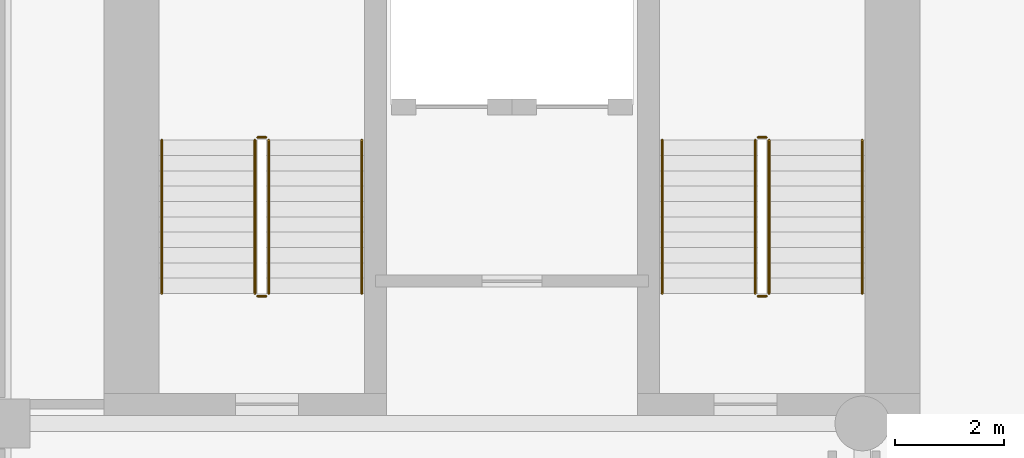
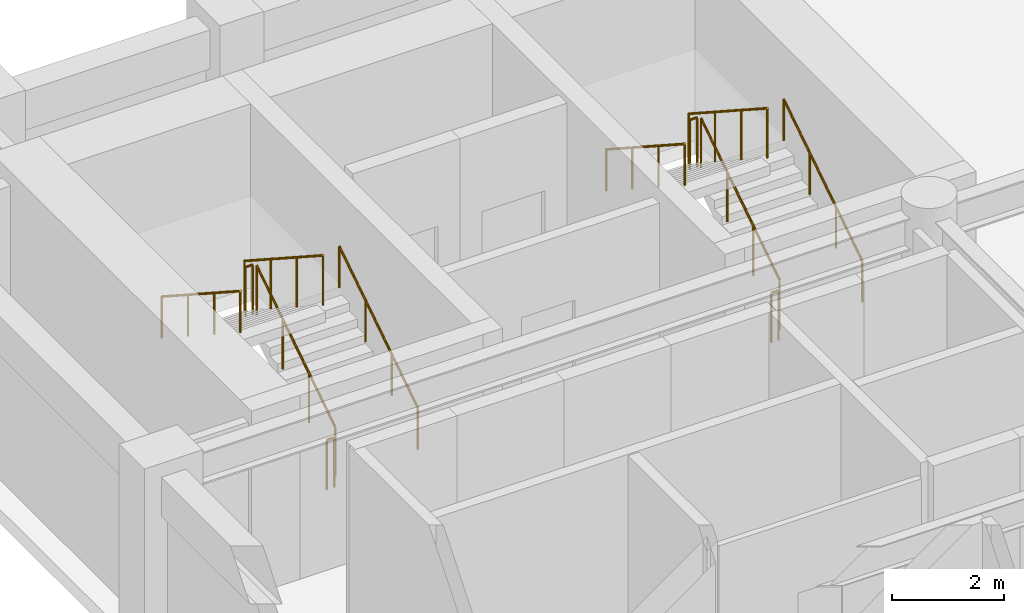
# One storey, part 9 of 10: 12 railings.
"""IFC4 building model written with IfcOpenShell, lengths in metres."""

from ifc_helpers import new_model, si_unit, direction, frame, origin, origin_2d, place, context, subcontext, project, spatial, circle, extrude, material, type_object, element, save


model = new_model("IFC4")

# Units and contexts
model_context = context("Model", 3, precision=1e-05, world=origin(), true_north=direction((0.0, 1.0)))
body_context = subcontext(model_context, "Body", "Model", "MODEL_VIEW")
ifc_project = project(units=[si_unit("LENGTHUNIT", "METRE"), si_unit("AREAUNIT", "SQUARE_METRE"), si_unit("VOLUMEUNIT", "CUBIC_METRE"), si_unit("PLANEANGLEUNIT", "RADIAN"), si_unit("MASSUNIT", "GRAM", prefix="KILO")], contexts=[model_context])

# Site, building, storey
site_placement = place(None, origin())
site = spatial("IfcSite", under=ifc_project, at=site_placement, CompositionType="ELEMENT")
building_placement = place(site_placement, origin())
building = spatial("IfcBuilding", under=site, at=building_placement, Name="Sulina Concourse Tower", CompositionType="ELEMENT")
storey_placement = place(building_placement, frame((0.0, 0.0, 62.60009765625)))
storey = spatial("IfcBuildingStorey", under=building, at=storey_placement, Name="L15", CompositionType="ELEMENT", Elevation=62.60009765625)

# Railings
ifc_material_1 = material(Name="Galvanised steel railing", Category="steel")
railing_type_1 = type_object("IfcRailingType", Name="Core Stair Steel Guardrail 1150mm", PredefinedType="GUARDRAIL", material=ifc_material_1)
railing_1_placement = place(storey_placement, frame((5.554931640625, 36.375, 0.181640625)))
element("IfcRailing", 1, at=railing_1_placement, inside=storey, type_object=railing_type_1, Name="L15 ST-1 stair guard 1", PredefinedType="GUARDRAIL", context=body_context, shape_type="SweptSolid", body=[
    extrude(circle(Radius=0.02392578125, at=origin_2d()), frame((0.0, 0.0, 1.076171875), z_axis=(0.0, 0.838672427954, 0.544636170843), x_axis=(-1.0, 0.0, 0.0)), (0.0, 0.0, 1.0), 3.338623046875),
    extrude(circle(Radius=0.02099609375, at=origin_2d()), origin(), (0.0, 0.0, 1.0), 1.052001953125),
    extrude(circle(Radius=0.02099609375, at=origin_2d()), frame((0.0, 0.933349609375, 0.606201171875)), (0.0, 0.0, 1.0), 1.052001953125),
    extrude(circle(Radius=0.02099609375, at=origin_2d()), frame((0.0, 1.86669921875, 1.212158203125)), (0.0, 0.0, 1.0), 1.052001953125),
    extrude(circle(Radius=0.02099609375, at=origin_2d()), frame((0.0, 2.800048828125, 1.818359375)), (0.0, 0.0, 1.0), 1.052001953125),
])
railing_2_placement = place(storey_placement, frame((5.5048828125, 39.22509765625, 2.0)))
element("IfcRailing", 2, at=railing_2_placement, inside=storey, type_object=railing_type_1, Name="L15 ST-1 stair guard 2", PredefinedType="GUARDRAIL", context=body_context, shape_type="SweptSolid", body=[
    extrude(circle(Radius=0.02392578125, at=origin_2d()), frame((0.0, 0.0, 1.076171875), z_axis=(-1.0, 0.0, 0.0), x_axis=(0.0, -1.0, 0.0)), (0.0, 0.0, 1.0), 0.14990234375),
    extrude(circle(Radius=0.02099609375, at=origin_2d()), origin(), (0.0, 0.0, 1.0), 1.052001953125),
    extrude(circle(Radius=0.02099609375, at=origin_2d()), frame((-0.14990234375, 0.0, 0.0)), (0.0, 0.0, 1.0), 1.052001953125),
])
railing_3_placement = place(storey_placement, frame((5.304931640625, 39.175048828125, 2.181640625)))
element("IfcRailing", 3, at=railing_3_placement, inside=storey, type_object=railing_type_1, Name="L15 ST-1 stair guard 3", PredefinedType="GUARDRAIL", context=body_context, shape_type="SweptSolid", body=[
    extrude(circle(Radius=0.02392578125, at=origin_2d()), frame((0.0, 0.0, 1.076171875), z_axis=(0.0, -0.838672427954, 0.544636170843), x_axis=(1.0, 0.0, 0.0)), (0.0, 0.0, 1.0), 3.338623046875),
    extrude(circle(Radius=0.02099609375, at=origin_2d()), origin(), (0.0, 0.0, 1.0), 1.052001953125),
    extrude(circle(Radius=0.02099609375, at=origin_2d()), frame((0.0, -0.933349609375, 0.606201171875)), (0.0, 0.0, 1.0), 1.052001953125),
    extrude(circle(Radius=0.02099609375, at=origin_2d()), frame((0.0, -1.86669921875, 1.212158203125)), (0.0, 0.0, 1.0), 1.052001953125),
    extrude(circle(Radius=0.02099609375, at=origin_2d()), frame((0.0, -2.800048828125, 1.818359375)), (0.0, 0.0, 1.0), 1.052001953125),
])
railing_4_placement = place(storey_placement, frame((5.5048828125, 36.324951171875, 0.0)))
element("IfcRailing", 4, at=railing_4_placement, inside=storey, type_object=railing_type_1, Name="L15 ST-1 stair guard 4", PredefinedType="GUARDRAIL", context=body_context, shape_type="SweptSolid", body=[
    extrude(circle(Radius=0.02392578125, at=origin_2d()), frame((0.0, 0.0, 1.076171875), z_axis=(-1.0, 0.0, 0.0), x_axis=(0.0, -1.0, 0.0)), (0.0, 0.0, 1.0), 0.14990234375),
    extrude(circle(Radius=0.02099609375, at=origin_2d()), origin(), (0.0, 0.0, 1.0), 1.052001953125),
    extrude(circle(Radius=0.02099609375, at=origin_2d()), frame((-0.14990234375, 0.0, 0.0)), (0.0, 0.0, 1.0), 1.052001953125),
])
railing_5_placement = place(storey_placement, frame((14.695068359375, 36.375, 0.181640625)))
element("IfcRailing", 5, at=railing_5_placement, inside=storey, type_object=railing_type_1, Name="L15 ST-2 stair guard 1", PredefinedType="GUARDRAIL", context=body_context, shape_type="SweptSolid", body=[
    extrude(circle(Radius=0.02392578125, at=origin_2d()), frame((0.0, 0.0, 1.076171875), z_axis=(0.0, 0.838672427954, 0.544636170843), x_axis=(-1.0, 0.0, 0.0)), (0.0, 0.0, 1.0), 3.338623046875),
    extrude(circle(Radius=0.02099609375, at=origin_2d()), origin(), (0.0, 0.0, 1.0), 1.052001953125),
    extrude(circle(Radius=0.02099609375, at=origin_2d()), frame((0.0, 0.933349609375, 0.606201171875)), (0.0, 0.0, 1.0), 1.052001953125),
    extrude(circle(Radius=0.02099609375, at=origin_2d()), frame((0.0, 1.86669921875, 1.212158203125)), (0.0, 0.0, 1.0), 1.052001953125),
    extrude(circle(Radius=0.02099609375, at=origin_2d()), frame((0.0, 2.800048828125, 1.818359375)), (0.0, 0.0, 1.0), 1.052001953125),
])
railing_6_placement = place(storey_placement, frame((14.64501953125, 39.22509765625, 2.0)))
element("IfcRailing", 6, at=railing_6_placement, inside=storey, type_object=railing_type_1, Name="L15 ST-2 stair guard 2", PredefinedType="GUARDRAIL", context=body_context, shape_type="SweptSolid", body=[
    extrude(circle(Radius=0.02392578125, at=origin_2d()), frame((0.0, 0.0, 1.076171875), z_axis=(-1.0, 0.0, 0.0), x_axis=(0.0, -1.0, 0.0)), (0.0, 0.0, 1.0), 0.14990234375),
    extrude(circle(Radius=0.02099609375, at=origin_2d()), origin(), (0.0, 0.0, 1.0), 1.052001953125),
    extrude(circle(Radius=0.02099609375, at=origin_2d()), frame((-0.14990234375, 0.0, 0.0)), (0.0, 0.0, 1.0), 1.052001953125),
])
railing_7_placement = place(storey_placement, frame((14.445068359375, 39.175048828125, 2.181640625)))
element("IfcRailing", 7, at=railing_7_placement, inside=storey, type_object=railing_type_1, Name="L15 ST-2 stair guard 3", PredefinedType="GUARDRAIL", context=body_context, shape_type="SweptSolid", body=[
    extrude(circle(Radius=0.02392578125, at=origin_2d()), frame((0.0, 0.0, 1.076171875), z_axis=(0.0, -0.838672427954, 0.544636170843), x_axis=(1.0, 0.0, 0.0)), (0.0, 0.0, 1.0), 3.338623046875),
    extrude(circle(Radius=0.02099609375, at=origin_2d()), origin(), (0.0, 0.0, 1.0), 1.052001953125),
    extrude(circle(Radius=0.02099609375, at=origin_2d()), frame((0.0, -0.933349609375, 0.606201171875)), (0.0, 0.0, 1.0), 1.052001953125),
    extrude(circle(Radius=0.02099609375, at=origin_2d()), frame((0.0, -1.86669921875, 1.212158203125)), (0.0, 0.0, 1.0), 1.052001953125),
    extrude(circle(Radius=0.02099609375, at=origin_2d()), frame((0.0, -2.800048828125, 1.818359375)), (0.0, 0.0, 1.0), 1.052001953125),
])
railing_8_placement = place(storey_placement, frame((14.64501953125, 36.324951171875, 0.0)))
element("IfcRailing", 8, at=railing_8_placement, inside=storey, type_object=railing_type_1, Name="L15 ST-2 stair guard 4", PredefinedType="GUARDRAIL", context=body_context, shape_type="SweptSolid", body=[
    extrude(circle(Radius=0.02392578125, at=origin_2d()), frame((0.0, 0.0, 1.076171875), z_axis=(-1.0, 0.0, 0.0), x_axis=(0.0, -1.0, 0.0)), (0.0, 0.0, 1.0), 0.14990234375),
    extrude(circle(Radius=0.02099609375, at=origin_2d()), origin(), (0.0, 0.0, 1.0), 1.052001953125),
    extrude(circle(Radius=0.02099609375, at=origin_2d()), frame((-0.14990234375, 0.0, 0.0)), (0.0, 0.0, 1.0), 1.052001953125),
])
ifc_material_2 = material(Name="Galvanised steel railing", Category="steel")
railing_type_2 = type_object("IfcRailingType", Name="Stair Wall Steel Handrail 920mm", PredefinedType="HANDRAIL", material=ifc_material_2)
railing_9_placement = place(storey_placement, frame((7.2548828125, 36.375, 0.181640625)))
element("IfcRailing", 9, at=railing_9_placement, inside=storey, type_object=railing_type_2, Name="L15 ST-1 stair handrail 1", PredefinedType="HANDRAIL", context=body_context, shape_type="SweptSolid", body=[
    extrude(circle(Radius=0.02392578125, at=origin_2d()), frame((0.0, 0.0, 0.89599609375), z_axis=(0.0, 0.838672427954, 0.544636170843), x_axis=(-1.0, 0.0, 0.0)), (0.0, 0.0, 1.0), 3.338623046875),
    extrude(circle(Radius=0.02099609375, at=origin_2d()), origin(), (0.0, 0.0, 1.0), 0.871826171875),
    extrude(circle(Radius=0.02099609375, at=origin_2d()), frame((0.0, 0.933349609375, 0.606201171875)), (0.0, 0.0, 1.0), 0.871826171875),
    extrude(circle(Radius=0.02099609375, at=origin_2d()), frame((0.0, 1.86669921875, 1.212158203125)), (0.0, 0.0, 1.0), 0.871826171875),
    extrude(circle(Radius=0.02099609375, at=origin_2d()), frame((0.0, 2.800048828125, 1.818359375)), (0.0, 0.0, 1.0), 0.871826171875),
])
railing_10_placement = place(storey_placement, frame((3.60498046875, 39.175048828125, 2.181640625)))
element("IfcRailing", 10, at=railing_10_placement, inside=storey, type_object=railing_type_2, Name="L15 ST-1 stair handrail 2", PredefinedType="HANDRAIL", context=body_context, shape_type="SweptSolid", body=[
    extrude(circle(Radius=0.02392578125, at=origin_2d()), frame((0.0, 0.0, 0.89599609375), z_axis=(0.0, -0.838672427954, 0.544636170843), x_axis=(1.0, 0.0, 0.0)), (0.0, 0.0, 1.0), 3.338623046875),
    extrude(circle(Radius=0.02099609375, at=origin_2d()), origin(), (0.0, 0.0, 1.0), 0.871826171875),
    extrude(circle(Radius=0.02099609375, at=origin_2d()), frame((0.0, -0.933349609375, 0.606201171875)), (0.0, 0.0, 1.0), 0.871826171875),
    extrude(circle(Radius=0.02099609375, at=origin_2d()), frame((0.0, -1.86669921875, 1.212158203125)), (0.0, 0.0, 1.0), 0.871826171875),
    extrude(circle(Radius=0.02099609375, at=origin_2d()), frame((0.0, -2.800048828125, 1.818359375)), (0.0, 0.0, 1.0), 0.871826171875),
])
railing_11_placement = place(storey_placement, frame((16.39501953125, 36.375, 0.181640625)))
element("IfcRailing", 11, at=railing_11_placement, inside=storey, type_object=railing_type_2, Name="L15 ST-2 stair handrail 1", PredefinedType="HANDRAIL", context=body_context, shape_type="SweptSolid", body=[
    extrude(circle(Radius=0.02392578125, at=origin_2d()), frame((0.0, 0.0, 0.89599609375), z_axis=(0.0, 0.838672427954, 0.544636170843), x_axis=(-1.0, 0.0, 0.0)), (0.0, 0.0, 1.0), 3.338623046875),
    extrude(circle(Radius=0.02099609375, at=origin_2d()), origin(), (0.0, 0.0, 1.0), 0.871826171875),
    extrude(circle(Radius=0.02099609375, at=origin_2d()), frame((0.0, 0.933349609375, 0.606201171875)), (0.0, 0.0, 1.0), 0.871826171875),
    extrude(circle(Radius=0.02099609375, at=origin_2d()), frame((0.0, 1.86669921875, 1.212158203125)), (0.0, 0.0, 1.0), 0.871826171875),
    extrude(circle(Radius=0.02099609375, at=origin_2d()), frame((0.0, 2.800048828125, 1.818359375)), (0.0, 0.0, 1.0), 0.871826171875),
])
railing_12_placement = place(storey_placement, frame((12.7451171875, 39.175048828125, 2.181640625)))
element("IfcRailing", 12, at=railing_12_placement, inside=storey, type_object=railing_type_2, Name="L15 ST-2 stair handrail 2", PredefinedType="HANDRAIL", context=body_context, shape_type="SweptSolid", body=[
    extrude(circle(Radius=0.02392578125, at=origin_2d()), frame((0.0, 0.0, 0.89599609375), z_axis=(0.0, -0.838672427954, 0.544636170843), x_axis=(1.0, 0.0, 0.0)), (0.0, 0.0, 1.0), 3.338623046875),
    extrude(circle(Radius=0.02099609375, at=origin_2d()), origin(), (0.0, 0.0, 1.0), 0.871826171875),
    extrude(circle(Radius=0.02099609375, at=origin_2d()), frame((0.0, -0.933349609375, 0.606201171875)), (0.0, 0.0, 1.0), 0.871826171875),
    extrude(circle(Radius=0.02099609375, at=origin_2d()), frame((0.0, -1.86669921875, 1.212158203125)), (0.0, 0.0, 1.0), 0.871826171875),
    extrude(circle(Radius=0.02099609375, at=origin_2d()), frame((0.0, -2.800048828125, 1.818359375)), (0.0, 0.0, 1.0), 0.871826171875),
])

save(model, "model.ifc")
